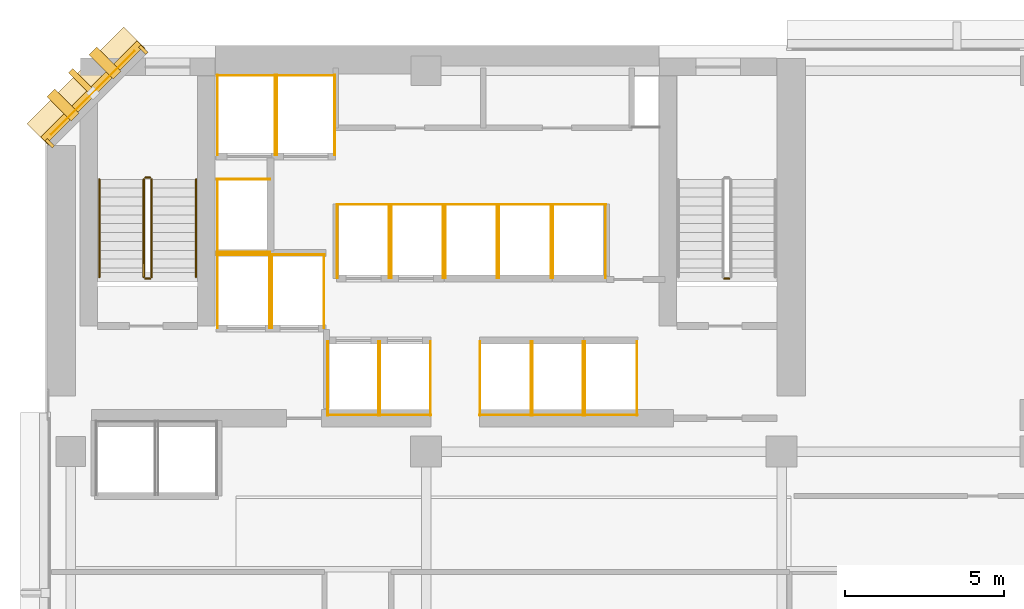
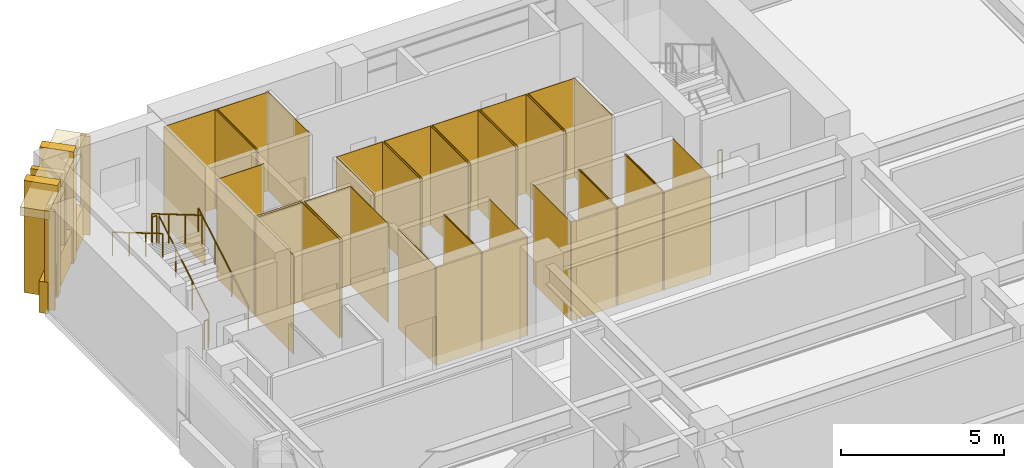
# One storey, part 11 of 13: 52 coverings, 7 railings, 1 shading device.
"""IFC4 building model written with IfcOpenShell, lengths in metres."""

import ifcopenshell
import ifcopenshell.guid

model = None  # the IFC model being written
_history = None  # IfcOwnerHistory: only IFC2X3 demands one
_inside = {}  # id of a spatial element -> (the spatial element, [elements in it])
_under = {}  # id of a project, library or spatial element -> (it, [spatial elements below it])
_declared = {}  # id of a project -> (the project, [libraries it declares])
_typed = {}  # id of a type object -> (the type object, [elements of that type])
_made_of = {}  # id of a material, layer set ... -> (it, [elements and type objects made of it])


def new_model(schema):
    """Start an empty IFC model of exactly this schema.

    Asked for "IFC4X3", IfcOpenShell would pick the latest addendum, in which some entities
    have other attributes; the version numbers below select the first issue.
    IFC2X3 requires an IfcOwnerHistory on every rooted entity: one is made here for all.
    """
    global model, _history
    if schema == "IFC4X3":
        model = ifcopenshell.file(schema_version=(4, 3, 0, 0))
    else:
        model = ifcopenshell.file(schema=schema)
    _inside.clear()
    _under.clear()
    _declared.clear()
    _typed.clear()
    _made_of.clear()
    _history = None
    if model.schema == "IFC2X3":
        org = make("IfcOrganization", Name="unknown")
        user = make(
            "IfcPersonAndOrganization",
            ThePerson=make("IfcPerson", FamilyName="unknown"),
            TheOrganization=org,
        )
        app = make(
            "IfcApplication",
            ApplicationDeveloper=org,
            Version="unknown",
            ApplicationFullName="unknown",
            ApplicationIdentifier="unknown",
        )
        _history = make(
            "IfcOwnerHistory",
            OwningUser=user,
            OwningApplication=app,
            ChangeAction="ADDED",
            CreationDate=0,
        )
    return model


def make(cls, **values):
    """One entity of the class cls with the attributes given. An attribute that is None is left unset."""
    return model.create_entity(
        cls, **{name: value for name, value in values.items() if value is not None}
    )


def rooted(cls, **values):
    """An entity with a GlobalId (a new one), such as an element, a storey or a relation."""
    return make(cls, GlobalId=ifcopenshell.guid.new(), OwnerHistory=_history, **values)


def si_unit(unit_type, name, prefix=None):
    """IfcSIUnit, for example si_unit("LENGTHUNIT", "METRE", prefix="MILLI")."""
    return make("IfcSIUnit", UnitType=unit_type, Prefix=prefix, Name=name)


def assignment(units):
    """IfcUnitAssignment: the units of a project."""
    return None if units is None else make("IfcUnitAssignment", Units=units)


def point(xyz):
    """IfcCartesianPoint."""
    return None if xyz is None else make("IfcCartesianPoint", Coordinates=xyz)


def direction(xyz):
    """IfcDirection."""
    return None if xyz is None else make("IfcDirection", DirectionRatios=xyz)


def frame(location, z_axis=None, x_axis=None):
    """IfcAxis2Placement3D, a coordinate frame: its origin and axes. An axis left out is left unset."""
    return make(
        "IfcAxis2Placement3D",
        Location=point(location),
        Axis=direction(z_axis),
        RefDirection=direction(x_axis),
    )


def frame_2d(location, x_axis=None):
    """IfcAxis2Placement2D, a coordinate frame in the plane: its origin and x axis."""
    return make(
        "IfcAxis2Placement2D", Location=point(location), RefDirection=direction(x_axis)
    )


def origin():
    """The frame at (0, 0, 0) with its axes left unset."""
    return frame((0.0, 0.0, 0.0))


def origin_2d():
    """The frame at (0, 0) in the plane with its x axis left unset."""
    return frame_2d((0.0, 0.0))


def place(relative_to, where):
    """IfcLocalPlacement: puts the frame where relative to a parent placement (None: the world)."""
    return make(
        "IfcLocalPlacement", PlacementRelTo=relative_to, RelativePlacement=where
    )


def context(
    kind, dimensions, precision=None, world=None, true_north=None, identifier=None
):
    """IfcGeometricRepresentationContext, for example the 3D "Model" context."""
    return make(
        "IfcGeometricRepresentationContext",
        ContextIdentifier=identifier,
        ContextType=kind,
        CoordinateSpaceDimension=dimensions,
        Precision=precision,
        WorldCoordinateSystem=world,
        TrueNorth=true_north,
    )


def subcontext(parent, identifier, kind, view, scale=None):
    """IfcGeometricRepresentationSubContext, for example "Body" below "Model"."""
    return make(
        "IfcGeometricRepresentationSubContext",
        ContextIdentifier=identifier,
        ContextType=kind,
        ParentContext=parent,
        TargetScale=scale,
        TargetView=view,
    )


def project(units=None, contexts=None):
    """IfcProject with its units and contexts."""
    return rooted(
        "IfcProject",
        Name="project",
        RepresentationContexts=contexts,
        UnitsInContext=assignment(units),
    )


def spatial(cls, under=None, at=None, **own):
    """A site, building, storey or space (cls), placed at a placement, below another one or the project."""
    s = rooted(cls, ObjectPlacement=at, **own)
    if under is not None:
        _under.setdefault(under.id(), (under, []))[1].append(s)
    return s


def polyline(points):
    """IfcPolyline through the points."""
    return make("IfcPolyline", Points=[point(p) for p in points])


def profile(cls, at=None, kind="AREA", **sizes):
    """A parametric profile (cls). Its sizes go by their IFC names, for example OverallWidth=200.0."""
    return make(cls, ProfileType=kind, Position=at, **sizes)


def rectangle(**sizes):
    """IfcRectangleProfileDef."""
    return profile("IfcRectangleProfileDef", **sizes)


def circle(**sizes):
    """IfcCircleProfileDef."""
    return profile("IfcCircleProfileDef", **sizes)


def outline(outer, holes=None, kind="AREA"):
    """IfcArbitraryClosedProfileDef: a profile drawn as a closed curve; with holes, ...WithVoids."""
    if holes is None:
        return make("IfcArbitraryClosedProfileDef", ProfileType=kind, OuterCurve=outer)
    return make(
        "IfcArbitraryProfileDefWithVoids",
        ProfileType=kind,
        OuterCurve=outer,
        InnerCurves=holes,
    )


def extrude(swept, where, along, depth):
    """IfcExtrudedAreaSolid: the profile swept, set in the frame where, extruded along a direction by depth."""
    return make(
        "IfcExtrudedAreaSolid",
        SweptArea=swept,
        Position=where,
        ExtrudedDirection=direction(along),
        Depth=depth,
    )


def shape(context_of_items, identifier, shape_type, items):
    """IfcShapeRepresentation: the items that make up one representation, for example the "Body"."""
    return make(
        "IfcShapeRepresentation",
        ContextOfItems=context_of_items,
        RepresentationIdentifier=identifier,
        RepresentationType=shape_type,
        Items=items,
    )


def material(Name=None, Category=None):
    """IfcMaterial."""
    return make("IfcMaterial", Name=Name, Category=Category)


def layer(
    of_material, thickness, ventilated=None, Name=None, Category=None, Priority=None
):
    """IfcMaterialLayer: one layer of a wall or slab, of a material (None: an air gap)."""
    return make(
        "IfcMaterialLayer",
        Material=of_material,
        LayerThickness=thickness,
        IsVentilated=ventilated,
        Name=Name,
        Category=Category,
        Priority=Priority,
    )


def layer_set(layers, Name=None):
    """IfcMaterialLayerSet."""
    return make("IfcMaterialLayerSet", MaterialLayers=layers, LayerSetName=Name)


def material_profile(
    of_material, cross_section, Name=None, Category=None, Priority=None
):
    """IfcMaterialProfile: a cross section and its material."""
    return make(
        "IfcMaterialProfile",
        Name=Name,
        Material=of_material,
        Profile=cross_section,
        Priority=Priority,
        Category=Category,
    )


def profile_set(profiles, Name=None, composite=None):
    """IfcMaterialProfileSet."""
    return make(
        "IfcMaterialProfileSet",
        Name=Name,
        MaterialProfiles=profiles,
        CompositeProfile=composite,
    )


def made_of(thing, what):
    """Note that an element or type object is made of a material, layer set ...; save() writes the relation."""
    if what is not None:
        _made_of.setdefault(what.id(), (what, []))[1].append(thing)
    return thing


def type_object(cls, material=None, **own):
    """A type object (cls), such as IfcWallType, which elements share."""
    return made_of(rooted(cls, **own), material)


def element(
    cls,
    number,
    at=None,
    inside=None,
    cuts=None,
    type_object=None,
    material=None,
    context=None,
    identifier="Body",
    shape_type=None,
    held_by="IfcProductDefinitionShape",
    body=None,
    shapes=None,
    **own,
):
    """One element of the class cls, such as IfcWall. Its Tag is "e" and its number.

    at: its placement. inside: the storey or other place that contains it. cuts: it is an
    opening in that element (IfcRelVoidsElement). A single representation is given by context,
    identifier, shape_type and body (its items); several are given by shapes. held_by: the class
    of the entity that holds the representations. save() writes the other relations.
    """
    e = rooted(cls, Tag="e%d" % number, ObjectPlacement=at, **own)
    if body is not None:
        shapes = [shape(context, identifier, shape_type, body)]
    if shapes is not None:
        e.Representation = make(held_by, Representations=shapes)
    if inside is not None:
        _inside.setdefault(inside.id(), (inside, []))[1].append(e)
    if cuts is not None:
        rooted(
            "IfcRelVoidsElement", RelatingBuildingElement=cuts, RelatedOpeningElement=e
        )
    if type_object is not None:
        _typed.setdefault(type_object.id(), (type_object, []))[1].append(e)
    return made_of(e, material)


def aggregate(whole, parts):
    """IfcRelAggregates: a whole, such as a stair, and the parts it consists of."""
    return rooted("IfcRelAggregates", RelatingObject=whole, RelatedObjects=parts)


def save(model, path):
    """Write the relations noted so far, then the file.

    IfcRelAggregates (storeys below a building ...), IfcRelContainedInSpatialStructure (elements
    in a storey), IfcRelDefinesByType, IfcRelAssociatesMaterial and IfcRelDeclares: one each for
    every whole, place, type object, material and project.
    """
    for whole, parts in _under.values():
        aggregate(whole, parts)
    for where, things in _inside.values():
        rooted(
            "IfcRelContainedInSpatialStructure",
            RelatedElements=things,
            RelatingStructure=where,
        )
    for kind, things in _typed.values():
        rooted("IfcRelDefinesByType", RelatedObjects=things, RelatingType=kind)
    for what, things in _made_of.values():
        rooted("IfcRelAssociatesMaterial", RelatedObjects=things, RelatingMaterial=what)
    for by, libraries in _declared.values():
        rooted("IfcRelDeclares", RelatingContext=by, RelatedDefinitions=libraries)
    model.write(path)


model = new_model("IFC4")

# Units and contexts
model_context = context("Model", 3, precision=1e-05, world=origin(), true_north=direction((0.0, 1.0)))
body_context = subcontext(model_context, "Body", "Model", "MODEL_VIEW")
ifc_project = project(units=[si_unit("LENGTHUNIT", "METRE"), si_unit("AREAUNIT", "SQUARE_METRE"), si_unit("VOLUMEUNIT", "CUBIC_METRE"), si_unit("PLANEANGLEUNIT", "RADIAN"), si_unit("MASSUNIT", "GRAM", prefix="KILO")], contexts=[model_context])

# Site, building, storey
site_placement = place(None, origin())
site = spatial("IfcSite", under=ifc_project, at=site_placement, CompositionType="ELEMENT")
building_placement = place(site_placement, origin())
building = spatial("IfcBuilding", under=site, at=building_placement, Name="Kefirva Bronze Tower", CompositionType="ELEMENT")
storey_placement = place(building_placement, frame((0.0, 0.0, 54.1201171875)))
storey = spatial("IfcBuildingStorey", under=building, at=storey_placement, Name="L12", CompositionType="ELEMENT", Elevation=54.1201171875)

# Coverings
ifc_material_1 = material(Name="Bronze anodised aluminium", Category="aluminium")
ifc_layer_1 = layer(ifc_material_1, 0.02001953125, Name="Bronze anodised aluminium")
ifc_layer_set_1 = layer_set([ifc_layer_1], Name="Bronze anodised aluminium")
covering_type_1 = type_object("IfcCoveringType", Name="Anodised Bronze Spandrel Cladding 20mm", PredefinedType="CLADDING", material=ifc_layer_set_1)
covering_1_placement = place(storey_placement, frame((1.492919921875, 44.507080078125, 3.2900390625), z_axis=(0.0, 0.0, 1.0), x_axis=(-0.707106781187, -0.707106781187, 0.0)))
element("IfcCovering", 1, at=covering_1_placement, inside=storey, type_object=covering_type_1, Name="L12 Bronze Spandrel Cladding 6", PredefinedType="CLADDING", context=body_context, shape_type="SweptSolid", body=[
    extrude(rectangle(XDim=3.719482421875, YDim=0.02001953125, at=origin_2d()), origin(), (0.0, 0.0, 1.0), 0.39990234375),
])
for number, where, z_axis, x_axis, name in (
    (2, (3.08837890625, 45.862060546875, 0.0), (0.0, 0.0, 1.0), (-0.707106781187, -0.707106781187, 0.0), "L12 Facade Joint Closure Panel 6S"),
    (3, (0.137939453125, 42.91162109375, 0.0), (0.0, 0.0, 1.0), (-0.707106781187, -0.707106781187, 0.0), "L12 Facade Joint Closure Panel 6E"),
):
    element("IfcCovering", number, at=place(storey_placement, frame(where, z_axis=z_axis, x_axis=x_axis)), inside=storey, type_object=covering_type_1, Name=name, PredefinedType="CLADDING", context=body_context, shape_type="SweptSolid", body=[
        extrude(rectangle(XDim=0.10009765625, YDim=0.320068359375, at=origin_2d()), origin(), (0.0, 0.0, 1.0), 3.7099609375),
    ])
covering_2_placement = place(storey_placement, frame((1.4716796875, 44.5283203125, -0.16015625), z_axis=(0.0, 0.0, 1.0), x_axis=(-0.707106781187, -0.707106781187, 0.0)))
element("IfcCovering", 4, at=covering_2_placement, inside=storey, type_object=covering_type_1, Name="L12 Streamline Horizontal Spandrel Band 9", PredefinedType="CLADDING", context=body_context, shape_type="SweptSolid", body=[
    extrude(rectangle(XDim=4.28271484375, YDim=0.280029296875, at=origin_2d()), origin(), (0.0, 0.0, 1.0), 1.179931640625),
])
covering_3_placement = place(storey_placement, origin())
element("IfcCovering", 5, at=covering_3_placement, inside=storey, type_object=covering_type_1, Name="L12 Lift FF1 Hoistway Liner N", PredefinedType="CLADDING", context=body_context, shape_type="SweptSolid", body=[
    extrude(outline(polyline([(5.39990234375, 39.389892578125), (7.080078125, 39.389892578125), (7.080078125, 39.409912109375), (5.39990234375, 39.409912109375), (5.39990234375, 39.389892578125)])), origin(), (0.0, 0.0, 1.0), 3.7099609375),
])
covering_4_placement = place(storey_placement, origin())
element("IfcCovering", 6, at=covering_4_placement, inside=storey, type_object=covering_type_1, Name="L12 Lift FF1 Hoistway Liner W", PredefinedType="CLADDING", context=body_context, shape_type="SweptSolid", body=[
    extrude(outline(polyline([(5.409912109375, 37.080078125), (5.429931640625, 37.080078125), (5.429931640625, 39.419921875), (5.409912109375, 39.419921875), (5.409912109375, 37.080078125)])), origin(), (0.0, 0.0, 1.0), 3.7099609375),
])
covering_5_placement = place(storey_placement, origin())
element("IfcCovering", 7, at=covering_5_placement, inside=storey, type_object=covering_type_1, Name="L12 Lift FF1 Hoistway Liner E", PredefinedType="CLADDING", context=body_context, shape_type="SweptSolid", body=[
    extrude(outline(polyline([(7.050048828125, 37.080078125), (7.070068359375, 37.080078125), (7.070068359375, 39.419921875), (7.050048828125, 39.419921875), (7.050048828125, 37.080078125)])), origin(), (0.0, 0.0, 1.0), 3.7099609375),
])
covering_6_placement = place(storey_placement, origin())
element("IfcCovering", 8, at=covering_6_placement, inside=storey, type_object=covering_type_1, Name="L12 Lift FF2 Hoistway Liner N", PredefinedType="CLADDING", context=body_context, shape_type="SweptSolid", body=[
    extrude(outline(polyline([(7.1201171875, 39.389892578125), (8.800048828125, 39.389892578125), (8.800048828125, 39.409912109375), (7.1201171875, 39.409912109375), (7.1201171875, 39.389892578125)])), origin(), (0.0, 0.0, 1.0), 3.7099609375),
])
covering_7_placement = place(storey_placement, origin())
element("IfcCovering", 9, at=covering_7_placement, inside=storey, type_object=covering_type_1, Name="L12 Lift FF2 Hoistway Liner W", PredefinedType="CLADDING", context=body_context, shape_type="SweptSolid", body=[
    extrude(outline(polyline([(7.1298828125, 37.080078125), (7.14990234375, 37.080078125), (7.14990234375, 39.419921875), (7.1298828125, 39.419921875), (7.1298828125, 37.080078125)])), origin(), (0.0, 0.0, 1.0), 3.7099609375),
])
covering_8_placement = place(storey_placement, origin())
element("IfcCovering", 10, at=covering_8_placement, inside=storey, type_object=covering_type_1, Name="L12 Lift FF2 Hoistway Liner E", PredefinedType="CLADDING", context=body_context, shape_type="SweptSolid", body=[
    extrude(outline(polyline([(8.77001953125, 37.080078125), (8.7900390625, 37.080078125), (8.7900390625, 39.419921875), (8.77001953125, 39.419921875), (8.77001953125, 37.080078125)])), origin(), (0.0, 0.0, 1.0), 3.7099609375),
])
covering_9_placement = place(storey_placement, origin())
element("IfcCovering", 11, at=covering_9_placement, inside=storey, type_object=covering_type_1, Name="L12 Lift SV1 Hoistway Liner N", PredefinedType="CLADDING", context=body_context, shape_type="SweptSolid", body=[
    extrude(outline(polyline([(5.39990234375, 45.0400390625), (7.260009765625, 45.0400390625), (7.260009765625, 45.06005859375), (5.39990234375, 45.06005859375), (5.39990234375, 45.0400390625)])), origin(), (0.0, 0.0, 1.0), 3.7099609375),
])
covering_10_placement = place(storey_placement, origin())
element("IfcCovering", 12, at=covering_10_placement, inside=storey, type_object=covering_type_1, Name="L12 Lift SV1 Hoistway Liner W", PredefinedType="CLADDING", context=body_context, shape_type="SweptSolid", body=[
    extrude(outline(polyline([(5.409912109375, 42.530029296875), (5.429931640625, 42.530029296875), (5.429931640625, 45.070068359375), (5.409912109375, 45.070068359375), (5.409912109375, 42.530029296875)])), origin(), (0.0, 0.0, 1.0), 3.7099609375),
])
covering_11_placement = place(storey_placement, origin())
element("IfcCovering", 13, at=covering_11_placement, inside=storey, type_object=covering_type_1, Name="L12 Lift SV1 Hoistway Liner E", PredefinedType="CLADDING", context=body_context, shape_type="SweptSolid", body=[
    extrude(outline(polyline([(7.22998046875, 42.530029296875), (7.25, 42.530029296875), (7.25, 45.070068359375), (7.22998046875, 45.070068359375), (7.22998046875, 42.530029296875)])), origin(), (0.0, 0.0, 1.0), 3.7099609375),
])
covering_12_placement = place(storey_placement, origin())
element("IfcCovering", 14, at=covering_12_placement, inside=storey, type_object=covering_type_1, Name="L12 Lift SV2 Hoistway Liner N", PredefinedType="CLADDING", context=body_context, shape_type="SweptSolid", body=[
    extrude(outline(polyline([(7.280029296875, 45.0400390625), (9.139892578125, 45.0400390625), (9.139892578125, 45.06005859375), (7.280029296875, 45.06005859375), (7.280029296875, 45.0400390625)])), origin(), (0.0, 0.0, 1.0), 3.7099609375),
])
covering_13_placement = place(storey_placement, origin())
element("IfcCovering", 15, at=covering_13_placement, inside=storey, type_object=covering_type_1, Name="L12 Lift SV2 Hoistway Liner W", PredefinedType="CLADDING", context=body_context, shape_type="SweptSolid", body=[
    extrude(outline(polyline([(7.2900390625, 42.530029296875), (7.31005859375, 42.530029296875), (7.31005859375, 45.070068359375), (7.2900390625, 45.070068359375), (7.2900390625, 42.530029296875)])), origin(), (0.0, 0.0, 1.0), 3.7099609375),
])
covering_14_placement = place(storey_placement, origin())
element("IfcCovering", 16, at=covering_14_placement, inside=storey, type_object=covering_type_1, Name="L12 Lift SV2 Hoistway Liner E", PredefinedType="CLADDING", context=body_context, shape_type="SweptSolid", body=[
    extrude(outline(polyline([(9.110107421875, 42.530029296875), (9.1298828125, 42.530029296875), (9.1298828125, 45.070068359375), (9.110107421875, 45.070068359375), (9.110107421875, 42.530029296875)])), origin(), (0.0, 0.0, 1.0), 3.7099609375),
])
covering_15_placement = place(storey_placement, origin())
element("IfcCovering", 17, at=covering_15_placement, inside=storey, type_object=covering_type_1, Name="L12 Lift LP1 Hoistway Liner S", PredefinedType="CLADDING", context=body_context, shape_type="SweptSolid", body=[
    extrude(outline(polyline([(8.8798828125, 34.340087890625), (10.52001953125, 34.340087890625), (10.52001953125, 34.360107421875), (8.8798828125, 34.360107421875), (8.8798828125, 34.340087890625)])), origin(), (0.0, 0.0, 1.0), 3.7099609375),
])
covering_16_placement = place(storey_placement, origin())
element("IfcCovering", 18, at=covering_16_placement, inside=storey, type_object=covering_type_1, Name="L12 Lift LP1 Hoistway Liner W", PredefinedType="CLADDING", context=body_context, shape_type="SweptSolid", body=[
    extrude(outline(polyline([(8.889892578125, 34.330078125), (8.909912109375, 34.330078125), (8.909912109375, 36.669921875), (8.889892578125, 36.669921875), (8.889892578125, 34.330078125)])), origin(), (0.0, 0.0, 1.0), 3.7099609375),
])
covering_17_placement = place(storey_placement, origin())
element("IfcCovering", 19, at=covering_17_placement, inside=storey, type_object=covering_type_1, Name="L12 Lift LP1 Hoistway Liner E", PredefinedType="CLADDING", context=body_context, shape_type="SweptSolid", body=[
    extrude(outline(polyline([(10.489990234375, 34.330078125), (10.510009765625, 34.330078125), (10.510009765625, 36.669921875), (10.489990234375, 36.669921875), (10.489990234375, 34.330078125)])), origin(), (0.0, 0.0, 1.0), 3.7099609375),
])
covering_18_placement = place(storey_placement, origin())
element("IfcCovering", 20, at=covering_18_placement, inside=storey, type_object=covering_type_1, Name="L12 Lift LP2 Hoistway Liner S", PredefinedType="CLADDING", context=body_context, shape_type="SweptSolid", body=[
    extrude(outline(polyline([(10.52001953125, 34.340087890625), (12.159912109375, 34.340087890625), (12.159912109375, 34.360107421875), (10.52001953125, 34.360107421875), (10.52001953125, 34.340087890625)])), origin(), (0.0, 0.0, 1.0), 3.7099609375),
])
covering_19_placement = place(storey_placement, origin())
element("IfcCovering", 21, at=covering_19_placement, inside=storey, type_object=covering_type_1, Name="L12 Lift LP2 Hoistway Liner W", PredefinedType="CLADDING", context=body_context, shape_type="SweptSolid", body=[
    extrude(outline(polyline([(10.530029296875, 34.330078125), (10.550048828125, 34.330078125), (10.550048828125, 36.669921875), (10.530029296875, 36.669921875), (10.530029296875, 34.330078125)])), origin(), (0.0, 0.0, 1.0), 3.7099609375),
])
covering_20_placement = place(storey_placement, origin())
element("IfcCovering", 22, at=covering_20_placement, inside=storey, type_object=covering_type_1, Name="L12 Lift LP2 Hoistway Liner E", PredefinedType="CLADDING", context=body_context, shape_type="SweptSolid", body=[
    extrude(outline(polyline([(12.1298828125, 34.330078125), (12.14990234375, 34.330078125), (12.14990234375, 36.669921875), (12.1298828125, 36.669921875), (12.1298828125, 34.330078125)])), origin(), (0.0, 0.0, 1.0), 3.7099609375),
])
covering_21_placement = place(storey_placement, origin())
element("IfcCovering", 23, at=covering_21_placement, inside=storey, type_object=covering_type_1, Name="L12 Lift LP3 Hoistway Liner N", PredefinedType="CLADDING", context=body_context, shape_type="SweptSolid", body=[
    extrude(outline(polyline([(9.179931640625, 40.969970703125), (10.85009765625, 40.969970703125), (10.85009765625, 40.989990234375), (9.179931640625, 40.989990234375), (9.179931640625, 40.969970703125)])), origin(), (0.0, 0.0, 1.0), 3.7099609375),
])
covering_22_placement = place(storey_placement, origin())
element("IfcCovering", 24, at=covering_22_placement, inside=storey, type_object=covering_type_1, Name="L12 Lift LP3 Hoistway Liner W", PredefinedType="CLADDING", context=body_context, shape_type="SweptSolid", body=[
    extrude(outline(polyline([(9.18994140625, 38.659912109375), (9.2099609375, 38.659912109375), (9.2099609375, 41.0), (9.18994140625, 41.0), (9.18994140625, 38.659912109375)])), origin(), (0.0, 0.0, 1.0), 3.7099609375),
])
covering_23_placement = place(storey_placement, origin())
element("IfcCovering", 25, at=covering_23_placement, inside=storey, type_object=covering_type_1, Name="L12 Lift LP3 Hoistway Liner E", PredefinedType="CLADDING", context=body_context, shape_type="SweptSolid", body=[
    extrude(outline(polyline([(10.820068359375, 38.659912109375), (10.840087890625, 38.659912109375), (10.840087890625, 41.0), (10.820068359375, 41.0), (10.820068359375, 38.659912109375)])), origin(), (0.0, 0.0, 1.0), 3.7099609375),
])
covering_24_placement = place(storey_placement, origin())
element("IfcCovering", 26, at=covering_24_placement, inside=storey, type_object=covering_type_1, Name="L12 Lift LP4 Hoistway Liner N", PredefinedType="CLADDING", context=body_context, shape_type="SweptSolid", body=[
    extrude(outline(polyline([(10.8798828125, 40.969970703125), (12.550048828125, 40.969970703125), (12.550048828125, 40.989990234375), (10.8798828125, 40.989990234375), (10.8798828125, 40.969970703125)])), origin(), (0.0, 0.0, 1.0), 3.7099609375),
])
covering_25_placement = place(storey_placement, origin())
element("IfcCovering", 27, at=covering_25_placement, inside=storey, type_object=covering_type_1, Name="L12 Lift LP4 Hoistway Liner W", PredefinedType="CLADDING", context=body_context, shape_type="SweptSolid", body=[
    extrude(outline(polyline([(10.889892578125, 38.659912109375), (10.909912109375, 38.659912109375), (10.909912109375, 41.0), (10.889892578125, 41.0), (10.889892578125, 38.659912109375)])), origin(), (0.0, 0.0, 1.0), 3.7099609375),
])
covering_26_placement = place(storey_placement, origin())
element("IfcCovering", 28, at=covering_26_placement, inside=storey, type_object=covering_type_1, Name="L12 Lift LP4 Hoistway Liner E", PredefinedType="CLADDING", context=body_context, shape_type="SweptSolid", body=[
    extrude(outline(polyline([(12.52001953125, 38.659912109375), (12.5400390625, 38.659912109375), (12.5400390625, 41.0), (12.52001953125, 41.0), (12.52001953125, 38.659912109375)])), origin(), (0.0, 0.0, 1.0), 3.7099609375),
])
covering_27_placement = place(storey_placement, origin())
element("IfcCovering", 29, at=covering_27_placement, inside=storey, type_object=covering_type_1, Name="L12 Lift MP1 Hoistway Liner S", PredefinedType="CLADDING", context=body_context, shape_type="SweptSolid", body=[
    extrude(outline(polyline([(13.679931640625, 34.340087890625), (15.320068359375, 34.340087890625), (15.320068359375, 34.360107421875), (13.679931640625, 34.360107421875), (13.679931640625, 34.340087890625)])), origin(), (0.0, 0.0, 1.0), 3.7099609375),
])
covering_28_placement = place(storey_placement, origin())
element("IfcCovering", 30, at=covering_28_placement, inside=storey, type_object=covering_type_1, Name="L12 Lift MP1 Hoistway Liner W", PredefinedType="CLADDING", context=body_context, shape_type="SweptSolid", body=[
    extrude(outline(polyline([(13.68994140625, 34.330078125), (13.7099609375, 34.330078125), (13.7099609375, 36.669921875), (13.68994140625, 36.669921875), (13.68994140625, 34.330078125)])), origin(), (0.0, 0.0, 1.0), 3.7099609375),
])
covering_29_placement = place(storey_placement, origin())
element("IfcCovering", 31, at=covering_29_placement, inside=storey, type_object=covering_type_1, Name="L12 Lift MP1 Hoistway Liner E", PredefinedType="CLADDING", context=body_context, shape_type="SweptSolid", body=[
    extrude(outline(polyline([(15.2900390625, 34.330078125), (15.31005859375, 34.330078125), (15.31005859375, 36.669921875), (15.2900390625, 36.669921875), (15.2900390625, 34.330078125)])), origin(), (0.0, 0.0, 1.0), 3.7099609375),
])
covering_30_placement = place(storey_placement, origin())
element("IfcCovering", 32, at=covering_30_placement, inside=storey, type_object=covering_type_1, Name="L12 Lift MP2 Hoistway Liner S", PredefinedType="CLADDING", context=body_context, shape_type="SweptSolid", body=[
    extrude(outline(polyline([(15.330078125, 34.340087890625), (16.969970703125, 34.340087890625), (16.969970703125, 34.360107421875), (15.330078125, 34.360107421875), (15.330078125, 34.340087890625)])), origin(), (0.0, 0.0, 1.0), 3.7099609375),
])
covering_31_placement = place(storey_placement, origin())
element("IfcCovering", 33, at=covering_31_placement, inside=storey, type_object=covering_type_1, Name="L12 Lift MP2 Hoistway Liner W", PredefinedType="CLADDING", context=body_context, shape_type="SweptSolid", body=[
    extrude(outline(polyline([(15.340087890625, 34.330078125), (15.360107421875, 34.330078125), (15.360107421875, 36.669921875), (15.340087890625, 36.669921875), (15.340087890625, 34.330078125)])), origin(), (0.0, 0.0, 1.0), 3.7099609375),
])
covering_32_placement = place(storey_placement, origin())
element("IfcCovering", 34, at=covering_32_placement, inside=storey, type_object=covering_type_1, Name="L12 Lift MP2 Hoistway Liner E", PredefinedType="CLADDING", context=body_context, shape_type="SweptSolid", body=[
    extrude(outline(polyline([(16.93994140625, 34.330078125), (16.9599609375, 34.330078125), (16.9599609375, 36.669921875), (16.93994140625, 36.669921875), (16.93994140625, 34.330078125)])), origin(), (0.0, 0.0, 1.0), 3.7099609375),
])
covering_33_placement = place(storey_placement, origin())
element("IfcCovering", 35, at=covering_33_placement, inside=storey, type_object=covering_type_1, Name="L12 Lift MP3 Hoistway Liner N", PredefinedType="CLADDING", context=body_context, shape_type="SweptSolid", body=[
    extrude(outline(polyline([(12.580078125, 40.969970703125), (14.25, 40.969970703125), (14.25, 40.989990234375), (12.580078125, 40.989990234375), (12.580078125, 40.969970703125)])), origin(), (0.0, 0.0, 1.0), 3.7099609375),
])
covering_34_placement = place(storey_placement, origin())
element("IfcCovering", 36, at=covering_34_placement, inside=storey, type_object=covering_type_1, Name="L12 Lift MP3 Hoistway Liner W", PredefinedType="CLADDING", context=body_context, shape_type="SweptSolid", body=[
    extrude(outline(polyline([(12.590087890625, 38.659912109375), (12.610107421875, 38.659912109375), (12.610107421875, 41.0), (12.590087890625, 41.0), (12.590087890625, 38.659912109375)])), origin(), (0.0, 0.0, 1.0), 3.7099609375),
])
covering_35_placement = place(storey_placement, origin())
element("IfcCovering", 37, at=covering_35_placement, inside=storey, type_object=covering_type_1, Name="L12 Lift MP3 Hoistway Liner E", PredefinedType="CLADDING", context=body_context, shape_type="SweptSolid", body=[
    extrude(outline(polyline([(14.219970703125, 38.659912109375), (14.239990234375, 38.659912109375), (14.239990234375, 41.0), (14.219970703125, 41.0), (14.219970703125, 38.659912109375)])), origin(), (0.0, 0.0, 1.0), 3.7099609375),
])
covering_36_placement = place(storey_placement, origin())
element("IfcCovering", 38, at=covering_36_placement, inside=storey, type_object=covering_type_1, Name="L12 Lift MP4 Hoistway Liner N", PredefinedType="CLADDING", context=body_context, shape_type="SweptSolid", body=[
    extrude(outline(polyline([(14.280029296875, 40.969970703125), (15.949951171875, 40.969970703125), (15.949951171875, 40.989990234375), (14.280029296875, 40.989990234375), (14.280029296875, 40.969970703125)])), origin(), (0.0, 0.0, 1.0), 3.7099609375),
])
covering_37_placement = place(storey_placement, origin())
element("IfcCovering", 39, at=covering_37_placement, inside=storey, type_object=covering_type_1, Name="L12 Lift MP4 Hoistway Liner W", PredefinedType="CLADDING", context=body_context, shape_type="SweptSolid", body=[
    extrude(outline(polyline([(14.2900390625, 38.659912109375), (14.31005859375, 38.659912109375), (14.31005859375, 41.0), (14.2900390625, 41.0), (14.2900390625, 38.659912109375)])), origin(), (0.0, 0.0, 1.0), 3.7099609375),
])
covering_38_placement = place(storey_placement, origin())
element("IfcCovering", 40, at=covering_38_placement, inside=storey, type_object=covering_type_1, Name="L12 Lift MP4 Hoistway Liner E", PredefinedType="CLADDING", context=body_context, shape_type="SweptSolid", body=[
    extrude(outline(polyline([(15.919921875, 38.659912109375), (15.93994140625, 38.659912109375), (15.93994140625, 41.0), (15.919921875, 41.0), (15.919921875, 38.659912109375)])), origin(), (0.0, 0.0, 1.0), 3.7099609375),
])
covering_39_placement = place(storey_placement, origin())
element("IfcCovering", 41, at=covering_39_placement, inside=storey, type_object=covering_type_1, Name="L12 Lift HP1 Hoistway Liner S", PredefinedType="CLADDING", context=body_context, shape_type="SweptSolid", body=[
    extrude(outline(polyline([(16.97998046875, 34.340087890625), (18.669921875, 34.340087890625), (18.669921875, 34.360107421875), (16.97998046875, 34.360107421875), (16.97998046875, 34.340087890625)])), origin(), (0.0, 0.0, 1.0), 3.7099609375),
])
covering_40_placement = place(storey_placement, origin())
element("IfcCovering", 42, at=covering_40_placement, inside=storey, type_object=covering_type_1, Name="L12 Lift HP1 Hoistway Liner W", PredefinedType="CLADDING", context=body_context, shape_type="SweptSolid", body=[
    extrude(outline(polyline([(16.989990234375, 34.330078125), (17.010009765625, 34.330078125), (17.010009765625, 36.669921875), (16.989990234375, 36.669921875), (16.989990234375, 34.330078125)])), origin(), (0.0, 0.0, 1.0), 3.7099609375),
])
covering_41_placement = place(storey_placement, origin())
element("IfcCovering", 43, at=covering_41_placement, inside=storey, type_object=covering_type_1, Name="L12 Lift HP1 Hoistway Liner E", PredefinedType="CLADDING", context=body_context, shape_type="SweptSolid", body=[
    extrude(outline(polyline([(18.639892578125, 34.330078125), (18.659912109375, 34.330078125), (18.659912109375, 36.669921875), (18.639892578125, 36.669921875), (18.639892578125, 34.330078125)])), origin(), (0.0, 0.0, 1.0), 3.7099609375),
])
covering_42_placement = place(storey_placement, origin())
element("IfcCovering", 44, at=covering_42_placement, inside=storey, type_object=covering_type_1, Name="L12 Lift HP2 Hoistway Liner N", PredefinedType="CLADDING", context=body_context, shape_type="SweptSolid", body=[
    extrude(outline(polyline([(15.97998046875, 40.969970703125), (17.669921875, 40.969970703125), (17.669921875, 40.989990234375), (15.97998046875, 40.989990234375), (15.97998046875, 40.969970703125)])), origin(), (0.0, 0.0, 1.0), 3.7099609375),
])
covering_43_placement = place(storey_placement, origin())
element("IfcCovering", 45, at=covering_43_placement, inside=storey, type_object=covering_type_1, Name="L12 Lift HP2 Hoistway Liner W", PredefinedType="CLADDING", context=body_context, shape_type="SweptSolid", body=[
    extrude(outline(polyline([(15.989990234375, 38.659912109375), (16.010009765625, 38.659912109375), (16.010009765625, 41.0), (15.989990234375, 41.0), (15.989990234375, 38.659912109375)])), origin(), (0.0, 0.0, 1.0), 3.7099609375),
])
covering_44_placement = place(storey_placement, origin())
element("IfcCovering", 46, at=covering_44_placement, inside=storey, type_object=covering_type_1, Name="L12 Lift HP2 Hoistway Liner E", PredefinedType="CLADDING", context=body_context, shape_type="SweptSolid", body=[
    extrude(outline(polyline([(17.639892578125, 38.659912109375), (17.659912109375, 38.659912109375), (17.659912109375, 41.0), (17.639892578125, 41.0), (17.639892578125, 38.659912109375)])), origin(), (0.0, 0.0, 1.0), 3.7099609375),
])
covering_45_placement = place(storey_placement, origin())
element("IfcCovering", 47, at=covering_45_placement, inside=storey, type_object=covering_type_1, Name="L12 Lift HP3 Hoistway Liner N", PredefinedType="CLADDING", context=body_context, shape_type="SweptSolid", body=[
    extrude(outline(polyline([(5.39990234375, 41.77001953125), (7.080078125, 41.77001953125), (7.080078125, 41.7900390625), (5.39990234375, 41.7900390625), (5.39990234375, 41.77001953125)])), origin(), (0.0, 0.0, 1.0), 3.7099609375),
])
covering_46_placement = place(storey_placement, origin())
element("IfcCovering", 48, at=covering_46_placement, inside=storey, type_object=covering_type_1, Name="L12 Lift HP3 Hoistway Liner S", PredefinedType="CLADDING", context=body_context, shape_type="SweptSolid", body=[
    extrude(outline(polyline([(5.39990234375, 39.469970703125), (7.080078125, 39.469970703125), (7.080078125, 39.489990234375), (5.39990234375, 39.489990234375), (5.39990234375, 39.469970703125)])), origin(), (0.0, 0.0, 1.0), 3.7099609375),
])
covering_47_placement = place(storey_placement, origin())
element("IfcCovering", 49, at=covering_47_placement, inside=storey, type_object=covering_type_1, Name="L12 Lift HP3 Hoistway Liner W", PredefinedType="CLADDING", context=body_context, shape_type="SweptSolid", body=[
    extrude(outline(polyline([(5.409912109375, 39.4599609375), (5.429931640625, 39.4599609375), (5.429931640625, 41.800048828125), (5.409912109375, 41.800048828125), (5.409912109375, 39.4599609375)])), origin(), (0.0, 0.0, 1.0), 3.7099609375),
])

# Shading device
ifc_material_profile = material_profile(ifc_material_1, rectangle(XDim=0.179931640625, YDim=1.080078125, at=origin_2d()), Name="BRONZE BUTTRESS FIN 180x1080")
ifc_profile_set = profile_set([ifc_material_profile], Name="Bronze anodised aluminium")
shading_device_type = type_object("IfcShadingDeviceType", Name="Chamfered Corner Buttress Bronze Fin 1080mm", PredefinedType="USERDEFINED", material=ifc_profile_set)
shading_device_placement = place(storey_placement, frame((1.1748046875, 44.8251953125, -0.14013671875), z_axis=(0.0, 0.0, 1.0), x_axis=(-0.707106781187, -0.707106781187, 0.0)))
element("IfcShadingDevice", 50, at=shading_device_placement, inside=storey, type_object=shading_device_type, Name="L12 Chamfered Corner Buttress Fin 24", ObjectType="VERTICAL FIN", PredefinedType="USERDEFINED", context=body_context, shape_type="SweptSolid", body=[
    extrude(rectangle(XDim=0.179931640625, YDim=1.080078125, at=origin_2d()), origin(), (0.0, 0.0, 1.0), 3.85009765625),
])

# Railings
ifc_material_2 = material(Name="Stainless steel 316", Category="steel")
railing_type_1 = type_object("IfcRailingType", Name="Interior Stair Guardrail 1100mm", PredefinedType="GUARDRAIL", material=ifc_material_2)
railing_1_placement = place(storey_placement, frame((3.35009765625, 38.699951171875, 0.164794921875)))
element("IfcRailing", 51, at=railing_1_placement, inside=storey, type_object=railing_type_1, Name="L12 ST-1 stair guard 1", PredefinedType="GUARDRAIL", context=body_context, shape_type="SweptSolid", body=[
    extrude(circle(Radius=0.02392578125, at=origin_2d()), frame((0.0, 0.0, 1.076171875), z_axis=(0.0, 0.861521393093, 0.507721271215), x_axis=(-1.0, 0.0, 0.0)), (0.0, 0.0, 1.0), 3.5751953125),
    extrude(circle(Radius=0.02099609375, at=origin_2d()), origin(), (0.0, 0.0, 1.0), 1.052001953125),
    extrude(circle(Radius=0.02099609375, at=origin_2d()), frame((0.0, 1.026611328125, 0.60498046875)), (0.0, 0.0, 1.0), 1.052001953125),
    extrude(circle(Radius=0.02099609375, at=origin_2d()), frame((0.0, 2.053466796875, 1.210205078125)), (0.0, 0.0, 1.0), 1.052001953125),
    extrude(circle(Radius=0.02099609375, at=origin_2d()), frame((0.0, 3.080078125, 1.815185546875)), (0.0, 0.0, 1.0), 1.052001953125),
])
railing_2_placement = place(storey_placement, frame((3.300048828125, 41.830078125, 1.97998046875)))
element("IfcRailing", 52, at=railing_2_placement, inside=storey, type_object=railing_type_1, Name="L12 ST-1 stair guard 2", PredefinedType="GUARDRAIL", context=body_context, shape_type="SweptSolid", body=[
    extrude(circle(Radius=0.02392578125, at=origin_2d()), frame((0.0, 0.0, 1.076171875), z_axis=(-1.0, 0.0, 0.0), x_axis=(0.0, -1.0, 0.0)), (0.0, 0.0, 1.0), 0.150146484375),
    extrude(circle(Radius=0.02099609375, at=origin_2d()), origin(), (0.0, 0.0, 1.0), 1.052001953125),
    extrude(circle(Radius=0.02099609375, at=origin_2d()), frame((-0.150146484375, 0.0, 0.0)), (0.0, 0.0, 1.0), 1.052001953125),
])
railing_3_placement = place(storey_placement, frame((3.10009765625, 41.780029296875, 2.144775390625)))
element("IfcRailing", 53, at=railing_3_placement, inside=storey, type_object=railing_type_1, Name="L12 ST-1 stair guard 3", PredefinedType="GUARDRAIL", context=body_context, shape_type="SweptSolid", body=[
    extrude(circle(Radius=0.02392578125, at=origin_2d()), frame((0.0, 0.0, 1.076171875), z_axis=(0.0, -0.861521393093, 0.507721271215), x_axis=(1.0, 0.0, 0.0)), (0.0, 0.0, 1.0), 3.5751953125),
    extrude(circle(Radius=0.02099609375, at=origin_2d()), origin(), (0.0, 0.0, 1.0), 1.052001953125),
    extrude(circle(Radius=0.02099609375, at=origin_2d()), frame((0.0, -1.026611328125, 0.60498046875)), (0.0, 0.0, 1.0), 1.052001953125),
    extrude(circle(Radius=0.02099609375, at=origin_2d()), frame((0.0, -2.053466796875, 1.210205078125)), (0.0, 0.0, 1.0), 1.052001953125),
    extrude(circle(Radius=0.02099609375, at=origin_2d()), frame((0.0, -3.080078125, 1.815185546875)), (0.0, 0.0, 1.0), 1.052001953125),
])
for number, where, name in (
    (54, (3.300048828125, 38.64990234375, 0.0), "L12 ST-1 stair guard 4"),
    (55, (21.550048828125, 38.64990234375, 0.0), "L12 ST-2 stair guard 4"),
):
    element("IfcRailing", number, at=place(storey_placement, frame(where)), inside=storey, type_object=railing_type_1, Name=name, PredefinedType="GUARDRAIL", context=body_context, shape_type="SweptSolid", body=[
        extrude(circle(Radius=0.02392578125, at=origin_2d()), frame((0.0, 0.0, 1.076171875), z_axis=(-1.0, 0.0, 0.0), x_axis=(0.0, -1.0, 0.0)), (0.0, 0.0, 1.0), 0.150146484375),
        extrude(circle(Radius=0.02099609375, at=origin_2d()), origin(), (0.0, 0.0, 1.0), 1.052001953125),
        extrude(circle(Radius=0.02099609375, at=origin_2d()), frame((-0.150146484375, 0.0, 0.0)), (0.0, 0.0, 1.0), 1.052001953125),
    ])
railing_type_2 = type_object("IfcRailingType", Name="Stair Pitch Handrail 900mm", PredefinedType="HANDRAIL", material=ifc_material_2)
railing_4_placement = place(storey_placement, frame((4.75, 38.699951171875, 0.164794921875)))
element("IfcRailing", 56, at=railing_4_placement, inside=storey, type_object=railing_type_2, Name="L12 ST-1 stair handrail 1", PredefinedType="HANDRAIL", context=body_context, shape_type="SweptSolid", body=[
    extrude(circle(Radius=0.02392578125, at=origin_2d()), frame((0.0, 0.0, 0.8759765625), z_axis=(0.0, 0.861521393093, 0.507721271215), x_axis=(-1.0, 0.0, 0.0)), (0.0, 0.0, 1.0), 3.5751953125),
    extrude(circle(Radius=0.02099609375, at=origin_2d()), origin(), (0.0, 0.0, 1.0), 0.851806640625),
    extrude(circle(Radius=0.02099609375, at=origin_2d()), frame((0.0, 1.026611328125, 0.60498046875)), (0.0, 0.0, 1.0), 0.851806640625),
    extrude(circle(Radius=0.02099609375, at=origin_2d()), frame((0.0, 2.053466796875, 1.210205078125)), (0.0, 0.0, 1.0), 0.851806640625),
    extrude(circle(Radius=0.02099609375, at=origin_2d()), frame((0.0, 3.080078125, 1.815185546875)), (0.0, 0.0, 1.0), 0.851806640625),
])
railing_5_placement = place(storey_placement, frame((1.699951171875, 41.780029296875, 2.144775390625)))
element("IfcRailing", 57, at=railing_5_placement, inside=storey, type_object=railing_type_2, Name="L12 ST-1 stair handrail 2", PredefinedType="HANDRAIL", context=body_context, shape_type="SweptSolid", body=[
    extrude(circle(Radius=0.02392578125, at=origin_2d()), frame((0.0, 0.0, 0.8759765625), z_axis=(0.0, -0.861521393093, 0.507721271215), x_axis=(1.0, 0.0, 0.0)), (0.0, 0.0, 1.0), 3.5751953125),
    extrude(circle(Radius=0.02099609375, at=origin_2d()), origin(), (0.0, 0.0, 1.0), 0.851806640625),
    extrude(circle(Radius=0.02099609375, at=origin_2d()), frame((0.0, -1.026611328125, 0.60498046875)), (0.0, 0.0, 1.0), 0.851806640625),
    extrude(circle(Radius=0.02099609375, at=origin_2d()), frame((0.0, -2.053466796875, 1.210205078125)), (0.0, 0.0, 1.0), 0.851806640625),
    extrude(circle(Radius=0.02099609375, at=origin_2d()), frame((0.0, -3.080078125, 1.815185546875)), (0.0, 0.0, 1.0), 0.851806640625),
])

# Coverings
ifc_layer_2 = layer(ifc_material_1, 0.179931640625, Name="Bronze anodised aluminium")
ifc_layer_set_2 = layer_set([ifc_layer_2], Name="Bronze anodised aluminium")
covering_type_2 = type_object("IfcCoveringType", Name="Streamline Bronze Sunshade Eyebrow Cladding 180mm", PredefinedType="CLADDING", material=ifc_layer_set_2)
covering_48_placement = place(storey_placement, frame((1.28076171875, 44.71923828125, 3.3896484375), z_axis=(0.0, 0.0, 1.0), x_axis=(-0.707106781187, -0.707106781187, 0.0)))
element("IfcCovering", 58, at=covering_48_placement, inside=storey, type_object=covering_type_2, Name="L12 Streamline Bronze Sunshade Eyebrow 9", PredefinedType="CLADDING", context=body_context, shape_type="SweptSolid", body=[
    extrude(rectangle(XDim=4.322509765625, YDim=0.93994140625, at=origin_2d()), origin(), (0.0, 0.0, 1.0), 0.320068359375),
])
ifc_layer_3 = layer(ifc_material_1, 0.260009765625, Name="Bronze anodised aluminium")
ifc_layer_set_3 = layer_set([ifc_layer_3], Name="Bronze anodised aluminium")
covering_type_3 = type_object("IfcCoveringType", Name="Unbroken Bronze Buttress Fin Cladding 260mm", PredefinedType="CLADDING", material=ifc_layer_set_3)
for number, where, z_axis, x_axis, name in (
    (59, (1.877197265625, 45.44287109375, -0.25), (0.0, 0.0, 1.0), (-0.707106781187, -0.707106781187, 0.0), "L12 Chamfered Corner Buttress Fin Cladding 23"),
    (60, (0.55712890625, 44.122802734375, -0.25), (0.0, 0.0, 1.0), (-0.707106781187, -0.707106781187, 0.0), "L12 Chamfered Corner Buttress Fin Cladding 24"),
):
    element("IfcCovering", number, at=place(storey_placement, frame(where, z_axis=z_axis, x_axis=x_axis)), inside=storey, type_object=covering_type_3, Name=name, PredefinedType="CLADDING", context=body_context, shape_type="SweptSolid", body=[
        extrude(rectangle(XDim=0.340087890625, YDim=1.080078125, at=origin_2d()), origin(), (0.0, 0.0, 1.0), 4.2099609375),
    ])

save(model, "model.ifc")
